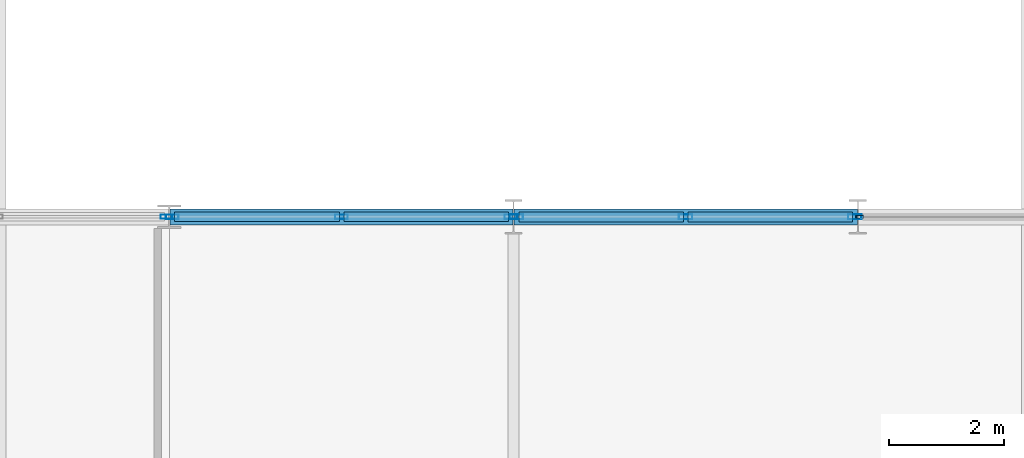
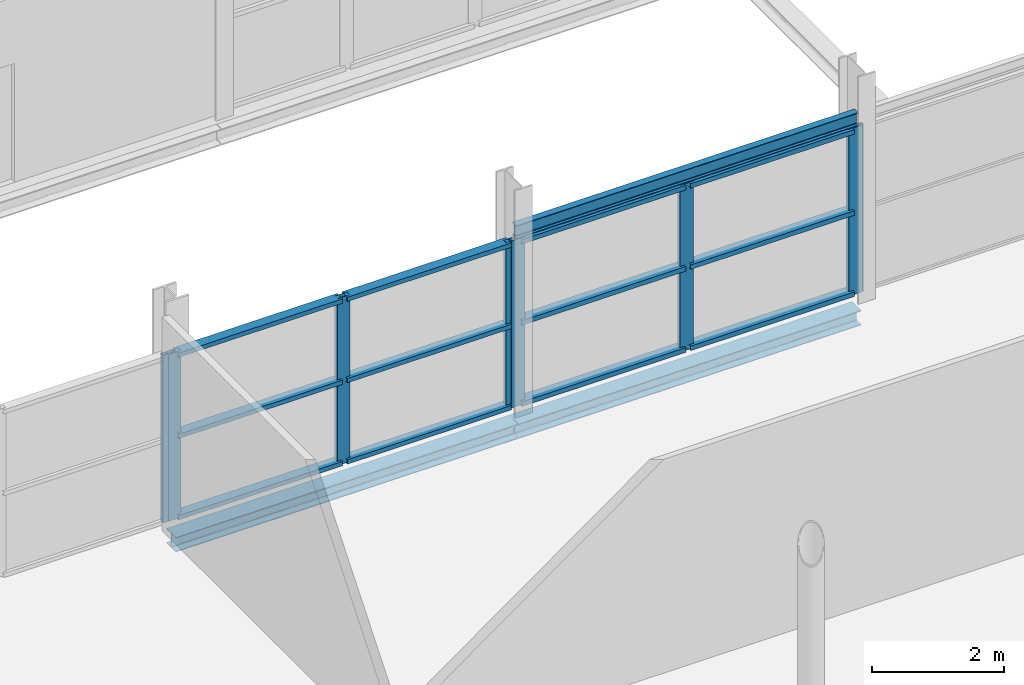
# One storey, part 46 of 140: 20 members, 3 beams, 4 elements without a shape of their own.
"""IFC4 building model written with IfcOpenShell, lengths in metres."""

from ifc_helpers import new_model, si_unit, direction, frame, origin, origin_2d, place, context, subcontext, project, spatial, hollow_rectangle, i_section, extrude, material, layer, layer_set, material_profile, profile_set, type_object, element, aggregate, save


model = new_model("IFC4")

# Units and contexts
model_context = context("Model", 3, precision=1e-05, world=origin(), true_north=direction((0.0, 1.0)))
body_context = subcontext(model_context, "Body", "Model", "MODEL_VIEW")
ifc_project = project(units=[si_unit("LENGTHUNIT", "METRE"), si_unit("AREAUNIT", "SQUARE_METRE"), si_unit("VOLUMEUNIT", "CUBIC_METRE"), si_unit("PLANEANGLEUNIT", "RADIAN"), si_unit("MASSUNIT", "GRAM", prefix="KILO")], contexts=[model_context])

# Site, building, storey
site_placement = place(None, origin())
site = spatial("IfcSite", under=ifc_project, at=site_placement, CompositionType="ELEMENT")
building_placement = place(site_placement, origin())
building = spatial("IfcBuilding", under=site, at=building_placement, Name="Deido Ridge Mobility Hub", CompositionType="ELEMENT")
storey_placement = place(building_placement, origin())
storey = spatial("IfcBuildingStorey", under=building, at=storey_placement, Name="L00", CompositionType="ELEMENT", Elevation=0.0)

# Beam
ifc_material_1 = material(Name="Steel S355J2 EN 10025-2", Category="steel")
ifc_material_profile_1 = material_profile(ifc_material_1, i_section(OverallWidth=0.1201171875, OverallDepth=0.239990234375, WebThickness=0.006103515625, FlangeThickness=0.009765625, FilletRadius=0.014892578125, at=origin_2d()), Name="IPE 240")
ifc_profile_set_1 = profile_set([ifc_material_profile_1], Name="Steel S355J2 EN 10025-2")
beam_type_1 = type_object("IfcBeamType", Name="LNT-IPE240", PredefinedType="LINTEL", material=ifc_profile_set_1)
beam_1_placement = place(storey_placement, frame((36.0078125, 36.0, 3.22998046875), z_axis=(1.0, 0.0, 0.0), x_axis=(0.0, 1.0, 0.0)))
element("IfcBeam", 1, at=beam_1_placement, inside=storey, type_object=beam_type_1, Name="Opening lintel LN1", PredefinedType="LINTEL", context=body_context, shape_type="SweptSolid", body=[
    extrude(i_section(OverallWidth=0.1201171875, OverallDepth=0.239990234375, WebThickness=0.006103515625, FlangeThickness=0.009765625, FilletRadius=0.014892578125, at=origin_2d()), origin(), (0.0, 0.0, 1.0), 5.984375),
])

# Curtain wall, member
ifc_material_2 = material(Name="Anodised aluminium EN AW-6063 T6", Category="aluminium")
ifc_layer_1 = layer(ifc_material_2, 0.16796875, Name="Anodised aluminium EN AW-6063 T6")
ifc_layer_set_1 = layer_set([ifc_layer_1], Name="Anodised aluminium EN AW-6063 T6")
curtain_wall_type_1 = type_object("IfcCurtainWallType", Name="CW-GS-4", PredefinedType="USERDEFINED", material=ifc_layer_set_1)
curtain_wall_1_placement = place(storey_placement, origin())
curtain_wall_1 = element("IfcCurtainWall", 2, at=curtain_wall_1_placement, inside=storey, type_object=curtain_wall_type_1, Name="Unitised curtain wall GS4", ObjectType="GLAZED SCREEN", PredefinedType="USERDEFINED")
ifc_material_profile_2 = material_profile(ifc_material_2, hollow_rectangle(XDim=0.050048828125, YDim=0.1298828125, WallThickness=0.00390625, at=origin_2d()), Name="RHS 50x130x4")
ifc_profile_set_2 = profile_set([ifc_material_profile_2], Name="Anodised aluminium EN AW-6063 T6")
member_type_1 = type_object("IfcMemberType", Name="MEM-MUL-50X130", PredefinedType="MULLION", material=ifc_profile_set_2)
member_1_placement = place(storey_placement, frame((42.03271484375, 36.0, 0.0), z_axis=(0.0, 0.0, 1.0), x_axis=(0.0, 1.0, 0.0)))
member_1 = element("IfcMember", 3, at=member_1_placement, type_object=member_type_1, Name="GS4 mullion 1", PredefinedType="MULLION", context=body_context, shape_type="SweptSolid", body=[
    extrude(hollow_rectangle(XDim=0.050048828125, YDim=0.1298828125, WallThickness=0.00390625, at=origin_2d()), origin(), (0.0, 0.0, 1.0), 3.0849609375),
])
aggregate(curtain_wall_1, [member_1])

ifc_layer_2 = layer(ifc_material_2, 0.132080078125, Name="Anodised aluminium EN AW-6063 T6")
ifc_layer_set_2 = layer_set([ifc_layer_2], Name="Anodised aluminium EN AW-6063 T6")
curtain_wall_type_2 = type_object("IfcCurtainWallType", Name="CW-GS-1", PredefinedType="USERDEFINED", material=ifc_layer_set_2)
curtain_wall_2_placement = place(storey_placement, origin())
curtain_wall_2 = element("IfcCurtainWall", 4, at=curtain_wall_2_placement, inside=storey, type_object=curtain_wall_type_2, Name="Unitised curtain wall GS1", ObjectType="GLAZED SCREEN", PredefinedType="USERDEFINED")
ifc_material_profile_3 = material_profile(ifc_material_2, hollow_rectangle(XDim=0.074951171875, YDim=0.205078125, WallThickness=0.00390625, at=origin_2d()), Name="RHS 75x205x4")
ifc_profile_set_3 = profile_set([ifc_material_profile_3], Name="Anodised aluminium EN AW-6063 T6")
member_type_2 = type_object("IfcMemberType", Name="MEM-MUL-75X205", PredefinedType="MULLION", material=ifc_profile_set_3)
member_2_placement = place(storey_placement, frame((29.950439453125, 36.0, 0.0), z_axis=(0.0, 0.0, 1.0), x_axis=(0.0, 1.0, 0.0)))
member_2 = element("IfcMember", 5, at=member_2_placement, type_object=member_type_2, Name="GS1 mullion 3", PredefinedType="MULLION", context=body_context, shape_type="SweptSolid", body=[
    extrude(hollow_rectangle(XDim=0.074951171875, YDim=0.205078125, WallThickness=0.00390625, at=origin_2d()), origin(), (0.0, 0.0, 1.0), 3.10009765625),
])
aggregate(curtain_wall_2, [member_2])

# Curtain wall, members
ifc_layer_3 = layer(ifc_material_2, 0.14404296875, Name="Anodised aluminium EN AW-6063 T6")
ifc_layer_set_3 = layer_set([ifc_layer_3], Name="Anodised aluminium EN AW-6063 T6")
curtain_wall_type_3 = type_object("IfcCurtainWallType", Name="CW-GS-2", PredefinedType="USERDEFINED", material=ifc_layer_set_3)
curtain_wall_3_placement = place(storey_placement, origin())
curtain_wall_3 = element("IfcCurtainWall", 6, at=curtain_wall_3_placement, inside=storey, type_object=curtain_wall_type_3, Name="Unitised curtain wall GS2", ObjectType="GLAZED SCREEN", PredefinedType="USERDEFINED")
ifc_material_profile_4 = material_profile(ifc_material_2, hollow_rectangle(XDim=0.080078125, YDim=0.219970703125, WallThickness=0.00390625, at=origin_2d()), Name="RHS 80x220x4")
ifc_profile_set_4 = profile_set([ifc_material_profile_4], Name="Anodised aluminium EN AW-6063 T6")
member_type_3 = type_object("IfcMemberType", Name="MEM-MUL-80X220", PredefinedType="MULLION", material=ifc_profile_set_4)
member_3_placement = place(storey_placement, frame((30.052001953125, 36.0, 0.0), z_axis=(0.0, 0.0, 1.0), x_axis=(0.0, 1.0, 0.0)))
member_3 = element("IfcMember", 7, at=member_3_placement, type_object=member_type_3, Name="GS2 mullion 1", PredefinedType="MULLION", context=body_context, shape_type="SweptSolid", body=[
    extrude(hollow_rectangle(XDim=0.080078125, YDim=0.219970703125, WallThickness=0.00390625, at=origin_2d()), origin(), (0.0, 0.0, 1.0), 3.0849609375),
])
member_4_placement = place(storey_placement, frame((33.002197265625, 36.0, 0.0), z_axis=(0.0, 0.0, 1.0), x_axis=(0.0, 1.0, 0.0)))
member_4 = element("IfcMember", 8, at=member_4_placement, type_object=member_type_3, Name="GS2 mullion 2", PredefinedType="MULLION", context=body_context, shape_type="SweptSolid", body=[
    extrude(hollow_rectangle(XDim=0.080078125, YDim=0.219970703125, WallThickness=0.00390625, at=origin_2d()), origin(), (0.0, 0.0, 1.0), 3.0849609375),
])
member_5_placement = place(storey_placement, frame((35.9521484375, 36.0, 0.0), z_axis=(0.0, 0.0, 1.0), x_axis=(0.0, 1.0, 0.0)))
member_5 = element("IfcMember", 9, at=member_5_placement, type_object=member_type_3, Name="GS2 mullion 3", PredefinedType="MULLION", context=body_context, shape_type="SweptSolid", body=[
    extrude(hollow_rectangle(XDim=0.080078125, YDim=0.219970703125, WallThickness=0.00390625, at=origin_2d()), origin(), (0.0, 0.0, 1.0), 3.0849609375),
])

ifc_layer_4 = layer(ifc_material_2, 0.156005859375, Name="Anodised aluminium EN AW-6063 T6")
ifc_layer_set_4 = layer_set([ifc_layer_4], Name="Anodised aluminium EN AW-6063 T6")
curtain_wall_type_4 = type_object("IfcCurtainWallType", Name="CW-GS-3", PredefinedType="USERDEFINED", material=ifc_layer_set_4)
curtain_wall_4_placement = place(storey_placement, origin())
curtain_wall_4 = element("IfcCurtainWall", 10, at=curtain_wall_4_placement, inside=storey, type_object=curtain_wall_type_4, Name="Unitised curtain wall GS3", ObjectType="GLAZED SCREEN", PredefinedType="USERDEFINED")
ifc_material_profile_5 = material_profile(ifc_material_2, hollow_rectangle(XDim=0.0849609375, YDim=0.235107421875, WallThickness=0.00390625, at=origin_2d()), Name="RHS 85x235x4")
ifc_profile_set_5 = profile_set([ifc_material_profile_5], Name="Anodised aluminium EN AW-6063 T6")
member_type_4 = type_object("IfcMemberType", Name="MEM-MUL-85X235", PredefinedType="MULLION", material=ifc_profile_set_5)
member_6_placement = place(storey_placement, frame((36.05029296875, 36.0, 0.0), z_axis=(0.0, 0.0, 1.0), x_axis=(0.0, 1.0, 0.0)))
member_6 = element("IfcMember", 11, at=member_6_placement, type_object=member_type_4, Name="GS3 mullion 1", PredefinedType="MULLION", context=body_context, shape_type="SweptSolid", body=[
    extrude(hollow_rectangle(XDim=0.0849609375, YDim=0.235107421875, WallThickness=0.00390625, at=origin_2d()), origin(), (0.0, 0.0, 1.0), 3.0849609375),
])
member_7_placement = place(storey_placement, frame((39.0, 36.0, 0.0), z_axis=(0.0, 0.0, 1.0), x_axis=(0.0, 1.0, 0.0)))
member_7 = element("IfcMember", 12, at=member_7_placement, type_object=member_type_4, Name="GS3 mullion 2", PredefinedType="MULLION", context=body_context, shape_type="SweptSolid", body=[
    extrude(hollow_rectangle(XDim=0.0849609375, YDim=0.235107421875, WallThickness=0.00390625, at=origin_2d()), origin(), (0.0, 0.0, 1.0), 3.0849609375),
])
member_8_placement = place(storey_placement, frame((41.94970703125, 36.0, 0.0), z_axis=(0.0, 0.0, 1.0), x_axis=(0.0, 1.0, 0.0)))
member_8 = element("IfcMember", 13, at=member_8_placement, type_object=member_type_4, Name="GS3 mullion 3", PredefinedType="MULLION", context=body_context, shape_type="SweptSolid", body=[
    extrude(hollow_rectangle(XDim=0.0849609375, YDim=0.235107421875, WallThickness=0.00390625, at=origin_2d()), origin(), (0.0, 0.0, 1.0), 3.0849609375),
])

# Member
ifc_material_profile_6 = material_profile(ifc_material_2, hollow_rectangle(XDim=0.1650390625, YDim=0.080078125, WallThickness=0.00390625, at=origin_2d()), Name="RHS 165x80x4")
ifc_profile_set_6 = profile_set([ifc_material_profile_6], Name="Anodised aluminium EN AW-6063 T6")
member_type_5 = type_object("IfcMemberType", Name="MEM-TRN-165X80", PredefinedType="USERDEFINED", material=ifc_profile_set_6)
member_9_placement = place(storey_placement, frame((30.092041015625, 36.0, 0.0400390625), z_axis=(1.0, 0.0, 0.0), x_axis=(0.0, 1.0, 0.0)))
member_9 = element("IfcMember", 14, at=member_9_placement, type_object=member_type_5, Name="GS2 transom 1.1", ObjectType="TRANSOM", PredefinedType="USERDEFINED", context=body_context, shape_type="SweptSolid", body=[
    extrude(hollow_rectangle(XDim=0.1650390625, YDim=0.080078125, WallThickness=0.00390625, at=origin_2d()), origin(), (0.0, 0.0, 1.0), 2.8701171875),
])

member_10_placement = place(storey_placement, frame((30.092041015625, 36.0, 1.54248046875), z_axis=(1.0, 0.0, 0.0), x_axis=(0.0, 1.0, 0.0)))
member_10 = element("IfcMember", 15, at=member_10_placement, type_object=member_type_5, Name="GS2 transom 1.2", ObjectType="TRANSOM", PredefinedType="USERDEFINED", context=body_context, shape_type="SweptSolid", body=[
    extrude(hollow_rectangle(XDim=0.1650390625, YDim=0.080078125, WallThickness=0.00390625, at=origin_2d()), origin(), (0.0, 0.0, 1.0), 2.8701171875),
])

member_11_placement = place(storey_placement, frame((30.092041015625, 36.0, 3.044921875), z_axis=(1.0, 0.0, 0.0), x_axis=(0.0, 1.0, 0.0)))
member_11 = element("IfcMember", 16, at=member_11_placement, type_object=member_type_5, Name="GS2 transom 1.3", ObjectType="TRANSOM", PredefinedType="USERDEFINED", context=body_context, shape_type="SweptSolid", body=[
    extrude(hollow_rectangle(XDim=0.1650390625, YDim=0.080078125, WallThickness=0.00390625, at=origin_2d()), origin(), (0.0, 0.0, 1.0), 2.8701171875),
])

member_12_placement = place(storey_placement, frame((33.0419921875, 36.0, 0.0400390625), z_axis=(1.0, 0.0, 0.0), x_axis=(0.0, 1.0, 0.0)))
member_12 = element("IfcMember", 17, at=member_12_placement, type_object=member_type_5, Name="GS2 transom 2.1", ObjectType="TRANSOM", PredefinedType="USERDEFINED", context=body_context, shape_type="SweptSolid", body=[
    extrude(hollow_rectangle(XDim=0.1650390625, YDim=0.080078125, WallThickness=0.00390625, at=origin_2d()), origin(), (0.0, 0.0, 1.0), 2.8701171875),
])

member_13_placement = place(storey_placement, frame((33.0419921875, 36.0, 1.54248046875), z_axis=(1.0, 0.0, 0.0), x_axis=(0.0, 1.0, 0.0)))
member_13 = element("IfcMember", 18, at=member_13_placement, type_object=member_type_5, Name="GS2 transom 2.2", ObjectType="TRANSOM", PredefinedType="USERDEFINED", context=body_context, shape_type="SweptSolid", body=[
    extrude(hollow_rectangle(XDim=0.1650390625, YDim=0.080078125, WallThickness=0.00390625, at=origin_2d()), origin(), (0.0, 0.0, 1.0), 2.8701171875),
])

member_14_placement = place(storey_placement, frame((33.0419921875, 36.0, 3.044921875), z_axis=(1.0, 0.0, 0.0), x_axis=(0.0, 1.0, 0.0)))
member_14 = element("IfcMember", 19, at=member_14_placement, type_object=member_type_5, Name="GS2 transom 2.3", ObjectType="TRANSOM", PredefinedType="USERDEFINED", context=body_context, shape_type="SweptSolid", body=[
    extrude(hollow_rectangle(XDim=0.1650390625, YDim=0.080078125, WallThickness=0.00390625, at=origin_2d()), origin(), (0.0, 0.0, 1.0), 2.8701171875),
])

aggregate(curtain_wall_3, [member_3, member_4, member_5, member_9, member_10, member_11, member_12, member_13, member_14])

ifc_material_profile_7 = material_profile(ifc_material_2, hollow_rectangle(XDim=0.175048828125, YDim=0.0849609375, WallThickness=0.00390625, at=origin_2d()), Name="RHS 175x85x4")
ifc_profile_set_7 = profile_set([ifc_material_profile_7], Name="Anodised aluminium EN AW-6063 T6")
member_type_6 = type_object("IfcMemberType", Name="MEM-TRN-175X85", PredefinedType="USERDEFINED", material=ifc_profile_set_7)
member_15_placement = place(storey_placement, frame((36.0927734375, 36.0, 0.04248046875), z_axis=(1.0, 0.0, 0.0), x_axis=(0.0, 1.0, 0.0)))
member_15 = element("IfcMember", 20, at=member_15_placement, type_object=member_type_6, Name="GS3 transom 1.1", ObjectType="TRANSOM", PredefinedType="USERDEFINED", context=body_context, shape_type="SweptSolid", body=[
    extrude(hollow_rectangle(XDim=0.175048828125, YDim=0.0849609375, WallThickness=0.00390625, at=origin_2d()), origin(), (0.0, 0.0, 1.0), 2.86474609375),
])

member_16_placement = place(storey_placement, frame((36.0927734375, 36.0, 1.54248046875), z_axis=(1.0, 0.0, 0.0), x_axis=(0.0, 1.0, 0.0)))
member_16 = element("IfcMember", 21, at=member_16_placement, type_object=member_type_6, Name="GS3 transom 1.2", ObjectType="TRANSOM", PredefinedType="USERDEFINED", context=body_context, shape_type="SweptSolid", body=[
    extrude(hollow_rectangle(XDim=0.175048828125, YDim=0.0849609375, WallThickness=0.00390625, at=origin_2d()), origin(), (0.0, 0.0, 1.0), 2.86474609375),
])

member_17_placement = place(storey_placement, frame((36.0927734375, 36.0, 3.04248046875), z_axis=(1.0, 0.0, 0.0), x_axis=(0.0, 1.0, 0.0)))
member_17 = element("IfcMember", 22, at=member_17_placement, type_object=member_type_6, Name="GS3 transom 1.3", ObjectType="TRANSOM", PredefinedType="USERDEFINED", context=body_context, shape_type="SweptSolid", body=[
    extrude(hollow_rectangle(XDim=0.175048828125, YDim=0.0849609375, WallThickness=0.00390625, at=origin_2d()), origin(), (0.0, 0.0, 1.0), 2.86474609375),
])

member_18_placement = place(storey_placement, frame((39.04248046875, 36.0, 0.04248046875), z_axis=(1.0, 0.0, 0.0), x_axis=(0.0, 1.0, 0.0)))
member_18 = element("IfcMember", 23, at=member_18_placement, type_object=member_type_6, Name="GS3 transom 2.1", ObjectType="TRANSOM", PredefinedType="USERDEFINED", context=body_context, shape_type="SweptSolid", body=[
    extrude(hollow_rectangle(XDim=0.175048828125, YDim=0.0849609375, WallThickness=0.00390625, at=origin_2d()), origin(), (0.0, 0.0, 1.0), 2.86474609375),
])

member_19_placement = place(storey_placement, frame((39.04248046875, 36.0, 1.54248046875), z_axis=(1.0, 0.0, 0.0), x_axis=(0.0, 1.0, 0.0)))
member_19 = element("IfcMember", 24, at=member_19_placement, type_object=member_type_6, Name="GS3 transom 2.2", ObjectType="TRANSOM", PredefinedType="USERDEFINED", context=body_context, shape_type="SweptSolid", body=[
    extrude(hollow_rectangle(XDim=0.175048828125, YDim=0.0849609375, WallThickness=0.00390625, at=origin_2d()), origin(), (0.0, 0.0, 1.0), 2.86474609375),
])

member_20_placement = place(storey_placement, frame((39.04248046875, 36.0, 3.04248046875), z_axis=(1.0, 0.0, 0.0), x_axis=(0.0, 1.0, 0.0)))
member_20 = element("IfcMember", 25, at=member_20_placement, type_object=member_type_6, Name="GS3 transom 2.3", ObjectType="TRANSOM", PredefinedType="USERDEFINED", context=body_context, shape_type="SweptSolid", body=[
    extrude(hollow_rectangle(XDim=0.175048828125, YDim=0.0849609375, WallThickness=0.00390625, at=origin_2d()), origin(), (0.0, 0.0, 1.0), 2.86474609375),
])

aggregate(curtain_wall_4, [member_6, member_7, member_8, member_15, member_16, member_17, member_18, member_19, member_20])

# Beams
ifc_material_profile_8 = material_profile(ifc_material_1, i_section(OverallWidth=0.280029296875, OverallDepth=0.27001953125, WebThickness=0.008056640625, FlangeThickness=0.012939453125, FilletRadius=0.02392578125, at=origin_2d()), Name="HEA 280")
ifc_profile_set_8 = profile_set([ifc_material_profile_8], Name="Steel S355J2 EN 10025-2")
beam_type_2 = type_object("IfcBeamType", Name="SPD-HEA280", PredefinedType="SPANDREL", material=ifc_profile_set_8)
beam_2_placement = place(storey_placement, frame((30.011962890625, 36.0, -0.39501953125), z_axis=(1.0, 0.0, 0.0), x_axis=(0.0, 1.0, 0.0)))
element("IfcBeam", 26, at=beam_2_placement, inside=storey, type_object=beam_type_2, Name="Floor beam SP2", PredefinedType="SPANDREL", context=body_context, shape_type="SweptSolid", body=[
    extrude(i_section(OverallWidth=0.280029296875, OverallDepth=0.27001953125, WebThickness=0.008056640625, FlangeThickness=0.012939453125, FilletRadius=0.02392578125, at=origin_2d()), origin(), (0.0, 0.0, 1.0), 5.980224609375),
])
beam_3_placement = place(storey_placement, frame((36.0078125, 36.0, -0.39501953125), z_axis=(1.0, 0.0, 0.0), x_axis=(0.0, 1.0, 0.0)))
element("IfcBeam", 27, at=beam_3_placement, inside=storey, type_object=beam_type_2, Name="Floor beam SP2", PredefinedType="SPANDREL", context=body_context, shape_type="SweptSolid", body=[
    extrude(i_section(OverallWidth=0.280029296875, OverallDepth=0.27001953125, WebThickness=0.008056640625, FlangeThickness=0.012939453125, FilletRadius=0.02392578125, at=origin_2d()), origin(), (0.0, 0.0, 1.0), 5.984375),
])

save(model, "model.ifc")
